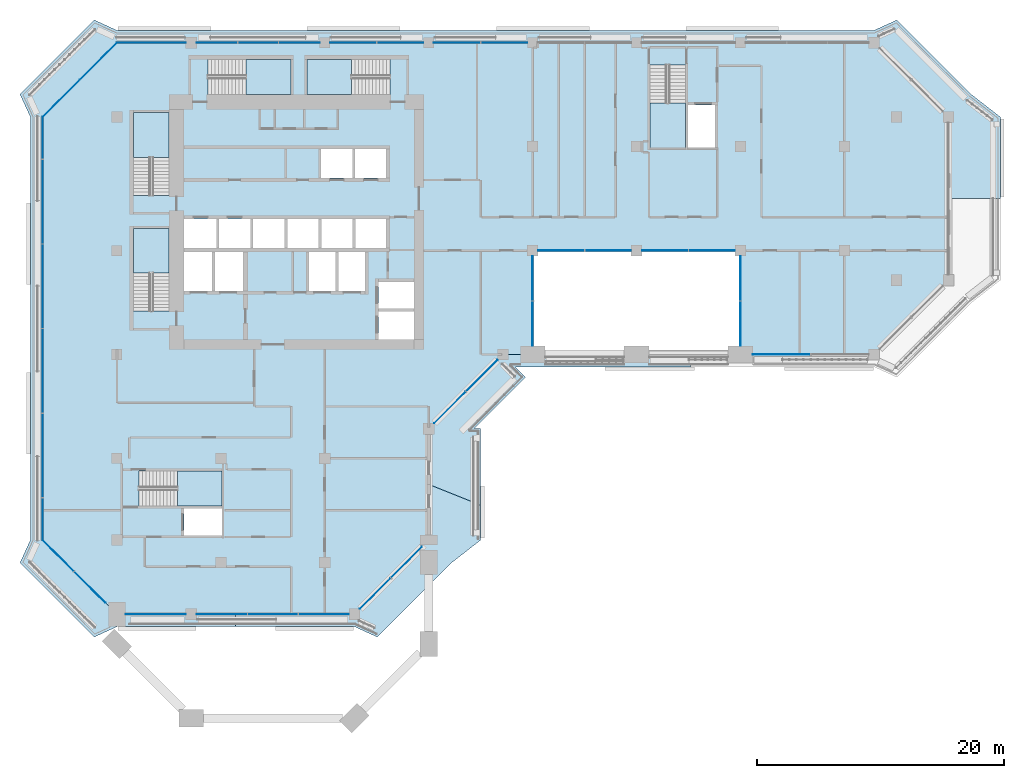
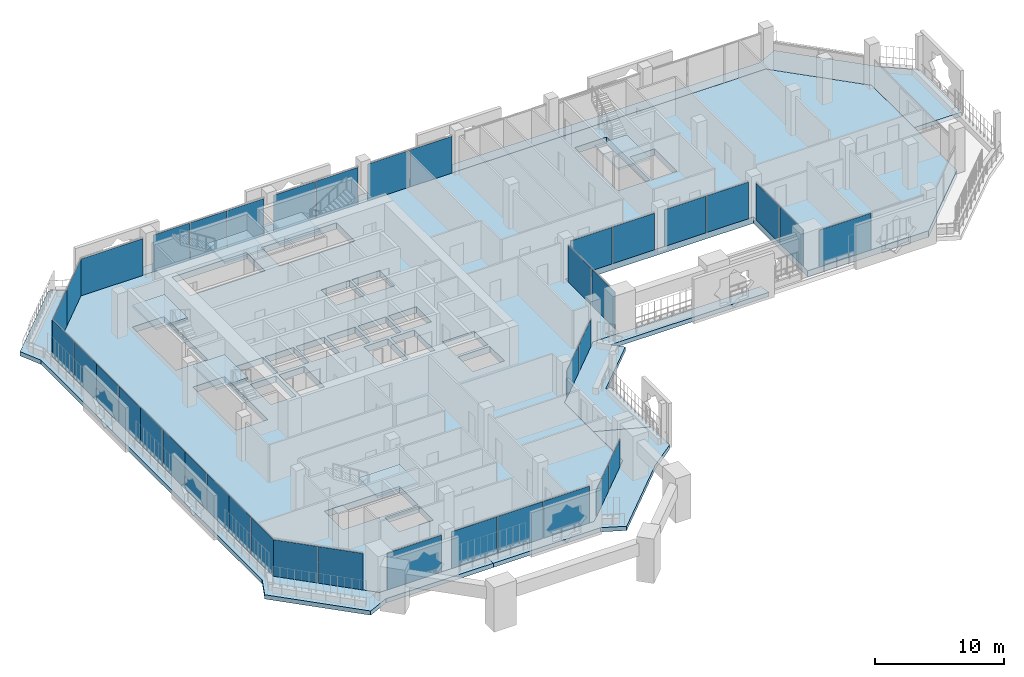
# One storey, part 10 of 23: 39 plates, 10 slabs, 17 elements without a shape of their own.
"""IFC4 building model written with IfcOpenShell, lengths in metres."""

from ifc_helpers import new_model, si_unit, direction, frame, origin, origin_2d, place, context, subcontext, project, spatial, polyline, rectangle, outline, extrude, material, layer, layer_set, type_object, element, aggregate, save


model = new_model("IFC4")

# Units and contexts
model_context = context("Model", 3, precision=1e-05, world=origin(), true_north=direction((0.0, 1.0)))
body_context = subcontext(model_context, "Body", "Model", "MODEL_VIEW")
ifc_project = project(units=[si_unit("LENGTHUNIT", "METRE"), si_unit("AREAUNIT", "SQUARE_METRE"), si_unit("VOLUMEUNIT", "CUBIC_METRE"), si_unit("PLANEANGLEUNIT", "RADIAN"), si_unit("MASSUNIT", "GRAM", prefix="KILO")], contexts=[model_context])

# Site, building, storey
site_placement = place(None, origin())
site = spatial("IfcSite", under=ifc_project, at=site_placement, CompositionType="ELEMENT")
building_placement = place(site_placement, origin())
building = spatial("IfcBuilding", under=site, at=building_placement, Name="Kawkab Arch Medical Tower", CompositionType="ELEMENT")
storey_placement = place(building_placement, frame((0.0, 0.0, 222.199951171875)))
storey = spatial("IfcBuildingStorey", under=building, at=storey_placement, Name="L51", CompositionType="ELEMENT", Elevation=222.199951171875)

# Curtain wall, plate
ifc_material_1 = material(Name="Bronze anodised aluminium curtain wall frame", Category="aluminium")
ifc_layer_1 = layer(ifc_material_1, 0.159912109375)
ifc_layer_set_1 = layer_set([ifc_layer_1], Name="Bronze anodised aluminium curtain wall frame")
curtain_wall_type_1 = type_object("IfcCurtainWallType", Name="CW1 ward curtain wall", PredefinedType="NOTDEFINED", material=ifc_layer_set_1)
placement_1 = place(storey_placement, origin())
curtain_wall_1 = element("IfcCurtainWall", 1, at=placement_1, inside=storey, type_object=curtain_wall_type_1, Name="CW1 Ward curtain wall R05", PredefinedType="NOTDEFINED")
ifc_material_2 = material(Name="Tinted insulating glass, bronze low-e coating", Category="glass")
ifc_layer_2 = layer(ifc_material_2, 0.031982421875)
ifc_layer_set_2 = layer_set([ifc_layer_2], Name="Tinted insulating glass, bronze low-e coating")
plate_type_1 = type_object("IfcPlateType", Name="CW1 glazing unit 32", PredefinedType="CURTAIN_PANEL", material=ifc_layer_set_2)
plate_1_placement = place(storey_placement, frame((53.722412109375, -25.199951171875, 0.0), z_axis=(0.0, 0.0, 1.0), x_axis=(1.0, 0.0, 0.0)))
plate_1 = element("IfcPlate", 2, at=plate_1_placement, type_object=plate_type_1, Name="CW1 glazing unit 1.1", PredefinedType="CURTAIN_PANEL", context=body_context, shape_type="SweptSolid", body=[
    extrude(rectangle(XDim=4.64501953125, YDim=0.031982421875, at=origin_2d()), origin(), (0.0, 0.0, 1.0), 3.47998046875),
])
aggregate(curtain_wall_1, [plate_1])

# Curtain wall, plates
curtain_wall_2 = element("IfcCurtainWall", 3, at=placement_1, inside=storey, type_object=curtain_wall_type_1, Name="CW1 Ward curtain wall R09", PredefinedType="NOTDEFINED")
plate_2_placement = place(storey_placement, frame((31.302490234375, 0.0, 0.0), z_axis=(0.0, 0.0, 1.0), x_axis=(-1.0, 0.0, 0.0)))
plate_2 = element("IfcPlate", 4, at=plate_2_placement, type_object=plate_type_1, Name="CW1 glazing unit 4.1", PredefinedType="CURTAIN_PANEL", context=body_context, shape_type="SweptSolid", body=[
    extrude(rectangle(XDim=3.7451171875, YDim=0.031982421875, at=origin_2d()), origin(), (0.0, 0.0, 1.0), 3.47998046875),
])
plate_3_placement = place(storey_placement, frame((27.49755859375, 0.0, 0.0), z_axis=(0.0, 0.0, 1.0), x_axis=(-1.0, 0.0, 0.0)))
plate_3 = element("IfcPlate", 5, at=plate_3_placement, type_object=plate_type_1, Name="CW1 glazing unit 4.2", PredefinedType="CURTAIN_PANEL", context=body_context, shape_type="SweptSolid", body=[
    extrude(rectangle(XDim=3.7451171875, YDim=0.031982421875, at=origin_2d()), origin(), (0.0, 0.0, 1.0), 3.47998046875),
])
plate_4_placement = place(storey_placement, frame((22.902587890625, 0.0, 0.0), z_axis=(0.0, 0.0, 1.0), x_axis=(-1.0, 0.0, 0.0)))
plate_4 = element("IfcPlate", 6, at=plate_4_placement, type_object=plate_type_1, Name="CW1 glazing unit 5.1", PredefinedType="CURTAIN_PANEL", context=body_context, shape_type="SweptSolid", body=[
    extrude(rectangle(XDim=3.7451171875, YDim=0.031982421875, at=origin_2d()), origin(), (0.0, 0.0, 1.0), 3.47998046875),
])
plate_5_placement = place(storey_placement, frame((19.097412109375, 0.0, 0.0), z_axis=(0.0, 0.0, 1.0), x_axis=(-1.0, 0.0, 0.0)))
plate_5 = element("IfcPlate", 7, at=plate_5_placement, type_object=plate_type_1, Name="CW1 glazing unit 5.2", PredefinedType="CURTAIN_PANEL", context=body_context, shape_type="SweptSolid", body=[
    extrude(rectangle(XDim=3.7451171875, YDim=0.031982421875, at=origin_2d()), origin(), (0.0, 0.0, 1.0), 3.47998046875),
])
plate_6_placement = place(storey_placement, frame((14.73583984375, 0.0, 0.0), z_axis=(0.0, 0.0, 1.0), x_axis=(-1.0, 0.0, 0.0)))
plate_6 = element("IfcPlate", 8, at=plate_6_placement, type_object=plate_type_1, Name="CW1 glazing unit 6.1", PredefinedType="CURTAIN_PANEL", context=body_context, shape_type="SweptSolid", body=[
    extrude(rectangle(XDim=3.2783203125, YDim=0.031982421875, at=origin_2d()), origin(), (0.0, 0.0, 1.0), 3.47998046875),
])
plate_7_placement = place(storey_placement, frame((11.41259765625, 0.0, 0.0), z_axis=(0.0, 0.0, 1.0), x_axis=(-1.0, 0.0, 0.0)))
plate_7 = element("IfcPlate", 9, at=plate_7_placement, type_object=plate_type_1, Name="CW1 glazing unit 6.2", PredefinedType="CURTAIN_PANEL", context=body_context, shape_type="SweptSolid", body=[
    extrude(rectangle(XDim=3.248291015625, YDim=0.031982421875, at=origin_2d()), origin(), (0.0, 0.0, 1.0), 3.47998046875),
])
plate_8_placement = place(storey_placement, frame((8.089111328125, 0.0, 0.0), z_axis=(0.0, 0.0, 1.0), x_axis=(-1.0, 0.0, 0.0)))
plate_8 = element("IfcPlate", 10, at=plate_8_placement, type_object=plate_type_1, Name="CW1 glazing unit 6.3", PredefinedType="CURTAIN_PANEL", context=body_context, shape_type="SweptSolid", body=[
    extrude(rectangle(XDim=3.2783203125, YDim=0.031982421875, at=origin_2d()), origin(), (0.0, 0.0, 1.0), 3.47998046875),
])
plate_9_placement = place(storey_placement, frame((2.77490234375, 0.0, 0.0), z_axis=(0.0, 0.0, 1.0), x_axis=(-1.0, 0.0, 0.0)))
plate_9 = element("IfcPlate", 11, at=plate_9_placement, type_object=plate_type_1, Name="CW1 glazing unit 7.1", PredefinedType="CURTAIN_PANEL", context=body_context, shape_type="SweptSolid", body=[
    extrude(rectangle(XDim=5.550048828125, YDim=0.031982421875, at=origin_2d()), origin(), (0.0, 0.0, 1.0), 3.47998046875),
])
aggregate(curtain_wall_2, [plate_2, plate_3, plate_4, plate_5, plate_6, plate_7, plate_8, plate_9])

curtain_wall_3 = element("IfcCurtainWall", 12, at=placement_1, inside=storey, type_object=curtain_wall_type_1, Name="CW1 Ward curtain wall R11", PredefinedType="NOTDEFINED")
plate_10_placement = place(storey_placement, frame((-6.0, -7.695068359375, 0.0), z_axis=(0.0, 0.0, 1.0), x_axis=(0.0, -1.0, 0.0)))
plate_10 = element("IfcPlate", 13, at=plate_10_placement, type_object=plate_type_1, Name="CW1 glazing unit 1.1", PredefinedType="CURTAIN_PANEL", context=body_context, shape_type="SweptSolid", body=[
    extrude(rectangle(XDim=3.389892578125, YDim=0.031982421875, at=origin_2d()), origin(), (0.0, 0.0, 1.0), 3.47998046875),
])
plate_11_placement = place(storey_placement, frame((-6.0, -11.14501953125, 0.0), z_axis=(0.0, 0.0, 1.0), x_axis=(0.0, -1.0, 0.0)))
plate_11 = element("IfcPlate", 14, at=plate_11_placement, type_object=plate_type_1, Name="CW1 glazing unit 1.2", PredefinedType="CURTAIN_PANEL", context=body_context, shape_type="SweptSolid", body=[
    extrude(rectangle(XDim=3.389892578125, YDim=0.031982421875, at=origin_2d()), origin(), (0.0, 0.0, 1.0), 3.47998046875),
])
plate_12_placement = place(storey_placement, frame((-6.0, -14.534912109375, 0.0), z_axis=(0.0, 0.0, 1.0), x_axis=(0.0, -1.0, 0.0)))
plate_12 = element("IfcPlate", 15, at=plate_12_placement, type_object=plate_type_1, Name="CW1 glazing unit 2.1", PredefinedType="CURTAIN_PANEL", context=body_context, shape_type="SweptSolid", body=[
    extrude(rectangle(XDim=3.389892578125, YDim=0.031982421875, at=origin_2d()), origin(), (0.0, 0.0, 1.0), 3.47998046875),
])
plate_13_placement = place(storey_placement, frame((-6.0, -17.985107421875, 0.0), z_axis=(0.0, 0.0, 1.0), x_axis=(0.0, -1.0, 0.0)))
plate_13 = element("IfcPlate", 16, at=plate_13_placement, type_object=plate_type_1, Name="CW1 glazing unit 2.2", PredefinedType="CURTAIN_PANEL", context=body_context, shape_type="SweptSolid", body=[
    extrude(rectangle(XDim=3.389892578125, YDim=0.031982421875, at=origin_2d()), origin(), (0.0, 0.0, 1.0), 3.47998046875),
])
plate_14_placement = place(storey_placement, frame((-6.0, -21.375, 0.0), z_axis=(0.0, 0.0, 1.0), x_axis=(0.0, -1.0, 0.0)))
plate_14 = element("IfcPlate", 17, at=plate_14_placement, type_object=plate_type_1, Name="CW1 glazing unit 3.1", PredefinedType="CURTAIN_PANEL", context=body_context, shape_type="SweptSolid", body=[
    extrude(rectangle(XDim=3.389892578125, YDim=0.031982421875, at=origin_2d()), origin(), (0.0, 0.0, 1.0), 3.47998046875),
])
plate_15_placement = place(storey_placement, frame((-6.0, -24.824951171875, 0.0), z_axis=(0.0, 0.0, 1.0), x_axis=(0.0, -1.0, 0.0)))
plate_15 = element("IfcPlate", 18, at=plate_15_placement, type_object=plate_type_1, Name="CW1 glazing unit 3.2", PredefinedType="CURTAIN_PANEL", context=body_context, shape_type="SweptSolid", body=[
    extrude(rectangle(XDim=3.389892578125, YDim=0.031982421875, at=origin_2d()), origin(), (0.0, 0.0, 1.0), 3.47998046875),
])
plate_16_placement = place(storey_placement, frame((-6.0, -28.215087890625, 0.0), z_axis=(0.0, 0.0, 1.0), x_axis=(0.0, -1.0, 0.0)))
plate_16 = element("IfcPlate", 19, at=plate_16_placement, type_object=plate_type_1, Name="CW1 glazing unit 4.1", PredefinedType="CURTAIN_PANEL", context=body_context, shape_type="SweptSolid", body=[
    extrude(rectangle(XDim=3.389892578125, YDim=0.031982421875, at=origin_2d()), origin(), (0.0, 0.0, 1.0), 3.47998046875),
])
plate_17_placement = place(storey_placement, frame((-6.0, -31.6650390625, 0.0), z_axis=(0.0, 0.0, 1.0), x_axis=(0.0, -1.0, 0.0)))
plate_17 = element("IfcPlate", 20, at=plate_17_placement, type_object=plate_type_1, Name="CW1 glazing unit 4.2", PredefinedType="CURTAIN_PANEL", context=body_context, shape_type="SweptSolid", body=[
    extrude(rectangle(XDim=3.389892578125, YDim=0.031982421875, at=origin_2d()), origin(), (0.0, 0.0, 1.0), 3.47998046875),
])
plate_18_placement = place(storey_placement, frame((-6.0, -35.054931640625, 0.0), z_axis=(0.0, 0.0, 1.0), x_axis=(0.0, -1.0, 0.0)))
plate_18 = element("IfcPlate", 21, at=plate_18_placement, type_object=plate_type_1, Name="CW1 glazing unit 5.1", PredefinedType="CURTAIN_PANEL", context=body_context, shape_type="SweptSolid", body=[
    extrude(rectangle(XDim=3.389892578125, YDim=0.031982421875, at=origin_2d()), origin(), (0.0, 0.0, 1.0), 3.47998046875),
])
plate_19_placement = place(storey_placement, frame((-6.0, -38.5048828125, 0.0), z_axis=(0.0, 0.0, 1.0), x_axis=(0.0, -1.0, 0.0)))
plate_19 = element("IfcPlate", 22, at=plate_19_placement, type_object=plate_type_1, Name="CW1 glazing unit 5.2", PredefinedType="CURTAIN_PANEL", context=body_context, shape_type="SweptSolid", body=[
    extrude(rectangle(XDim=3.389892578125, YDim=0.031982421875, at=origin_2d()), origin(), (0.0, 0.0, 1.0), 3.47998046875),
])
aggregate(curtain_wall_3, [plate_10, plate_11, plate_12, plate_13, plate_14, plate_15, plate_16, plate_17, plate_18, plate_19])

curtain_wall_4 = element("IfcCurtainWall", 23, at=placement_1, inside=storey, type_object=curtain_wall_type_1, Name="CW1 Ward curtain wall R13", PredefinedType="NOTDEFINED")
plate_20_placement = place(storey_placement, frame((3.125, -46.199951171875, 0.0), z_axis=(0.0, 0.0, 1.0), x_axis=(1.0, 0.0, 0.0)))
plate_20 = element("IfcPlate", 24, at=plate_20_placement, type_object=plate_type_1, Name="CW1 glazing unit 1.1", PredefinedType="CURTAIN_PANEL", context=body_context, shape_type="SweptSolid", body=[
    extrude(rectangle(XDim=4.85009765625, YDim=0.031982421875, at=origin_2d()), origin(), (0.0, 0.0, 1.0), 3.47998046875),
])
plate_21_placement = place(storey_placement, frame((8.485107421875, -46.199951171875, 0.0), z_axis=(0.0, 0.0, 1.0), x_axis=(1.0, 0.0, 0.0)))
plate_21 = element("IfcPlate", 25, at=plate_21_placement, type_object=plate_type_1, Name="CW1 glazing unit 2.1", PredefinedType="CURTAIN_PANEL", context=body_context, shape_type="SweptSolid", body=[
    extrude(rectangle(XDim=4.070068359375, YDim=0.031982421875, at=origin_2d()), origin(), (0.0, 0.0, 1.0), 3.47998046875),
])
plate_22_placement = place(storey_placement, frame((12.60009765625, -46.199951171875, 0.0), z_axis=(0.0, 0.0, 1.0), x_axis=(1.0, 0.0, 0.0)))
plate_22 = element("IfcPlate", 26, at=plate_22_placement, type_object=plate_type_1, Name="CW1 glazing unit 2.2", PredefinedType="CURTAIN_PANEL", context=body_context, shape_type="SweptSolid", body=[
    extrude(rectangle(XDim=4.0400390625, YDim=0.031982421875, at=origin_2d()), origin(), (0.0, 0.0, 1.0), 3.47998046875),
])
plate_23_placement = place(storey_placement, frame((16.715087890625, -46.199951171875, 0.0), z_axis=(0.0, 0.0, 1.0), x_axis=(1.0, 0.0, 0.0)))
plate_23 = element("IfcPlate", 27, at=plate_23_placement, type_object=plate_type_1, Name="CW1 glazing unit 2.3", PredefinedType="CURTAIN_PANEL", context=body_context, shape_type="SweptSolid", body=[
    extrude(rectangle(XDim=4.070068359375, YDim=0.031982421875, at=origin_2d()), origin(), (0.0, 0.0, 1.0), 3.47998046875),
])
aggregate(curtain_wall_4, [plate_20, plate_21, plate_22, plate_23])

ifc_material_3 = material(Name="Bronze anodised aluminium curtain wall frame", Category="aluminium")
ifc_layer_3 = layer(ifc_material_3, 0.159912109375)
ifc_layer_set_3 = layer_set([ifc_layer_3], Name="Bronze anodised aluminium curtain wall frame")
curtain_wall_type_2 = type_object("IfcCurtainWallType", Name="CW2 chamfer curtain wall", PredefinedType="NOTDEFINED", material=ifc_layer_set_3)
curtain_wall_5 = element("IfcCurtainWall", 28, at=placement_1, inside=storey, type_object=curtain_wall_type_2, Name="CW2 Chamfer curtain wall R10", PredefinedType="NOTDEFINED")
ifc_material_4 = material(Name="Tinted insulating glass, bronze low-e coating", Category="glass")
ifc_layer_4 = layer(ifc_material_4, 0.031982421875)
ifc_layer_set_4 = layer_set([ifc_layer_4], Name="Tinted insulating glass, bronze low-e coating")
plate_type_2 = type_object("IfcPlateType", Name="CW2 glazing unit 32", PredefinedType="CURTAIN_PANEL", material=ifc_layer_set_4)
plate_24_placement = place(storey_placement, frame((-1.5, -1.5, 0.0), z_axis=(0.0, 0.0, 1.0), x_axis=(-0.707106781187, -0.707106781187, 0.0)))
plate_24 = element("IfcPlate", 29, at=plate_24_placement, type_object=plate_type_2, Name="CW2 glazing unit 1.1", PredefinedType="CURTAIN_PANEL", context=body_context, shape_type="SweptSolid", body=[
    extrude(rectangle(XDim=4.24267578125, YDim=0.031982421875, at=origin_2d()), origin(), (0.0, 0.0, 1.0), 3.4599609375),
])
plate_25_placement = place(storey_placement, frame((-4.5, -4.5, 0.0), z_axis=(0.0, 0.0, 1.0), x_axis=(-0.707106781187, -0.707106781187, 0.0)))
plate_25 = element("IfcPlate", 30, at=plate_25_placement, type_object=plate_type_2, Name="CW2 glazing unit 2.1", PredefinedType="CURTAIN_PANEL", context=body_context, shape_type="SweptSolid", body=[
    extrude(rectangle(XDim=4.24267578125, YDim=0.031982421875, at=origin_2d()), origin(), (0.0, 0.0, 1.0), 3.4599609375),
])
aggregate(curtain_wall_5, [plate_24, plate_25])

curtain_wall_6 = element("IfcCurtainWall", 31, at=placement_1, inside=storey, type_object=curtain_wall_type_2, Name="CW2 Chamfer curtain wall R12", PredefinedType="NOTDEFINED")
plate_26_placement = place(storey_placement, frame((-4.7431640625, -41.456787109375, 0.0), z_axis=(0.0, 0.0, 1.0), x_axis=(0.707106781187, -0.707106781187, 0.0)))
plate_26 = element("IfcPlate", 32, at=plate_26_placement, type_object=plate_type_2, Name="CW2 glazing unit 1.1", PredefinedType="CURTAIN_PANEL", context=body_context, shape_type="SweptSolid", body=[
    extrude(rectangle(XDim=3.5546875, YDim=0.031982421875, at=origin_2d()), origin(), (0.0, 0.0, 1.0), 3.4599609375),
])
plate_27_placement = place(storey_placement, frame((-2.187255859375, -44.012939453125, 0.0), z_axis=(0.0, 0.0, 1.0), x_axis=(0.707106781187, -0.707106781187, 0.0)))
plate_27 = element("IfcPlate", 33, at=plate_27_placement, type_object=plate_type_2, Name="CW2 glazing unit 1.2", PredefinedType="CURTAIN_PANEL", context=body_context, shape_type="SweptSolid", body=[
    extrude(rectangle(XDim=3.5546875, YDim=0.031982421875, at=origin_2d()), origin(), (0.0, 0.0, 1.0), 3.4599609375),
])
aggregate(curtain_wall_6, [plate_26, plate_27])

curtain_wall_7 = element("IfcCurtainWall", 34, at=placement_1, inside=storey, type_object=curtain_wall_type_2, Name="CW2 Chamfer curtain wall R14", PredefinedType="NOTDEFINED")
plate_28_placement = place(storey_placement, frame((20.884765625, -44.51513671875, 0.0), z_axis=(0.0, 0.0, 1.0), x_axis=(0.707106781187, 0.707106781187, 0.0)))
plate_28 = element("IfcPlate", 35, at=plate_28_placement, type_object=plate_type_2, Name="CW2 glazing unit 1.1", PredefinedType="CURTAIN_PANEL", context=body_context, shape_type="SweptSolid", body=[
    extrude(rectangle(XDim=3.49267578125, YDim=0.031982421875, at=origin_2d()), origin(), (0.0, 0.0, 1.0), 2.56005859375),
])
plate_29_placement = place(storey_placement, frame((23.39697265625, -42.0029296875, 0.0), z_axis=(0.0, 0.0, 1.0), x_axis=(0.707106781187, 0.707106781187, 0.0)))
plate_29 = element("IfcPlate", 36, at=plate_29_placement, type_object=plate_type_2, Name="CW2 glazing unit 1.2", PredefinedType="CURTAIN_PANEL", context=body_context, shape_type="SweptSolid", body=[
    extrude(rectangle(XDim=3.49267578125, YDim=0.031982421875, at=origin_2d()), origin(), (0.0, 0.0, 1.0), 2.56005859375),
])
aggregate(curtain_wall_7, [plate_28, plate_29])

curtain_wall_8 = element("IfcCurtainWall", 37, at=placement_1, inside=storey, type_object=curtain_wall_type_2, Name="CW2 Chamfer curtain wall R16", PredefinedType="NOTDEFINED")
plate_30_placement = place(storey_placement, frame((26.914306640625, -29.485595703125, 0.0), z_axis=(0.0, 0.0, 1.0), x_axis=(0.707106781187, 0.707106781187, 0.0)))
plate_30 = element("IfcPlate", 38, at=plate_30_placement, type_object=plate_type_2, Name="CW2 glazing unit 1.1", PredefinedType="CURTAIN_PANEL", context=body_context, shape_type="SweptSolid", body=[
    extrude(rectangle(XDim=3.576171875, YDim=0.031982421875, at=origin_2d()), origin(), (0.0, 0.0, 1.0), 2.56005859375),
])
plate_31_placement = place(storey_placement, frame((29.485595703125, -26.914306640625, 0.0), z_axis=(0.0, 0.0, 1.0), x_axis=(0.707106781187, 0.707106781187, 0.0)))
plate_31 = element("IfcPlate", 39, at=plate_31_placement, type_object=plate_type_2, Name="CW2 glazing unit 1.2", PredefinedType="CURTAIN_PANEL", context=body_context, shape_type="SweptSolid", body=[
    extrude(rectangle(XDim=3.576171875, YDim=0.031982421875, at=origin_2d()), origin(), (0.0, 0.0, 1.0), 2.56005859375),
])
aggregate(curtain_wall_8, [plate_30, plate_31])

ifc_material_5 = material(Name="Bronze anodised aluminium curtain wall frame", Category="aluminium")
ifc_layer_5 = layer(ifc_material_5, 0.159912109375)
ifc_layer_set_5 = layer_set([ifc_layer_5], Name="Bronze anodised aluminium curtain wall frame")
curtain_wall_type_3 = type_object("IfcCurtainWallType", Name="CW3 sky garden curtain wall", PredefinedType="NOTDEFINED", material=ifc_layer_set_5)
curtain_wall_9 = element("IfcCurtainWall", 40, at=placement_1, inside=storey, type_object=curtain_wall_type_3, Name="CW3 Sky garden curtain wall R02", PredefinedType="NOTDEFINED")
ifc_material_6 = material(Name="Tinted laminated insulating glass, grey-green", Category="glass")
ifc_layer_6 = layer(ifc_material_6, 0.035888671875)
ifc_layer_set_6 = layer_set([ifc_layer_6], Name="Tinted laminated insulating glass, grey-green")
plate_type_3 = type_object("IfcPlateType", Name="CW3 glazing unit 36", PredefinedType="CURTAIN_PANEL", material=ifc_layer_set_6)
plate_32_placement = place(storey_placement, frame((33.60009765625, -22.705078125, 0.0), z_axis=(0.0, 0.0, 1.0), x_axis=(0.0, 1.0, 0.0)))
plate_32 = element("IfcPlate", 41, at=plate_32_placement, type_object=plate_type_3, Name="CW3 glazing unit 1.1", PredefinedType="CURTAIN_PANEL", context=body_context, shape_type="SweptSolid", body=[
    extrude(rectangle(XDim=3.590087890625, YDim=0.035888671875, at=origin_2d()), origin(), (0.0, 0.0, 1.0), 3.4599609375),
])
plate_33_placement = place(storey_placement, frame((33.60009765625, -19.044921875, 0.0), z_axis=(0.0, 0.0, 1.0), x_axis=(0.0, 1.0, 0.0)))
plate_33 = element("IfcPlate", 42, at=plate_33_placement, type_object=plate_type_3, Name="CW3 glazing unit 1.2", PredefinedType="CURTAIN_PANEL", context=body_context, shape_type="SweptSolid", body=[
    extrude(rectangle(XDim=3.590087890625, YDim=0.035888671875, at=origin_2d()), origin(), (0.0, 0.0, 1.0), 3.4599609375),
])
aggregate(curtain_wall_9, [plate_32, plate_33])

curtain_wall_10 = element("IfcCurtainWall", 43, at=placement_1, inside=storey, type_object=curtain_wall_type_3, Name="CW3 Sky garden curtain wall R03", PredefinedType="NOTDEFINED")
plate_34_placement = place(storey_placement, frame((35.907470703125, -16.800048828125, 0.0), z_axis=(0.0, 0.0, 1.0), x_axis=(1.0, 0.0, 0.0)))
plate_34 = element("IfcPlate", 44, at=plate_34_placement, type_object=plate_type_3, Name="CW3 glazing unit 1.1", PredefinedType="CURTAIN_PANEL", context=body_context, shape_type="SweptSolid", body=[
    extrude(rectangle(XDim=3.715087890625, YDim=0.035888671875, at=origin_2d()), origin(), (0.0, 0.0, 1.0), 3.4599609375),
])
plate_35_placement = place(storey_placement, frame((39.6923828125, -16.800048828125, 0.0), z_axis=(0.0, 0.0, 1.0), x_axis=(1.0, 0.0, 0.0)))
plate_35 = element("IfcPlate", 45, at=plate_35_placement, type_object=plate_type_3, Name="CW3 glazing unit 1.2", PredefinedType="CURTAIN_PANEL", context=body_context, shape_type="SweptSolid", body=[
    extrude(rectangle(XDim=3.715087890625, YDim=0.035888671875, at=origin_2d()), origin(), (0.0, 0.0, 1.0), 3.4599609375),
])
plate_36_placement = place(storey_placement, frame((44.3076171875, -16.800048828125, 0.0), z_axis=(0.0, 0.0, 1.0), x_axis=(1.0, 0.0, 0.0)))
plate_36 = element("IfcPlate", 46, at=plate_36_placement, type_object=plate_type_3, Name="CW3 glazing unit 2.1", PredefinedType="CURTAIN_PANEL", context=body_context, shape_type="SweptSolid", body=[
    extrude(rectangle(XDim=3.715087890625, YDim=0.035888671875, at=origin_2d()), origin(), (0.0, 0.0, 1.0), 3.4599609375),
])
plate_37_placement = place(storey_placement, frame((48.092529296875, -16.800048828125, 0.0), z_axis=(0.0, 0.0, 1.0), x_axis=(1.0, 0.0, 0.0)))
plate_37 = element("IfcPlate", 47, at=plate_37_placement, type_object=plate_type_3, Name="CW3 glazing unit 2.2", PredefinedType="CURTAIN_PANEL", context=body_context, shape_type="SweptSolid", body=[
    extrude(rectangle(XDim=3.715087890625, YDim=0.035888671875, at=origin_2d()), origin(), (0.0, 0.0, 1.0), 3.4599609375),
])
aggregate(curtain_wall_10, [plate_34, plate_35, plate_36, plate_37])

curtain_wall_11 = element("IfcCurtainWall", 48, at=placement_1, inside=storey, type_object=curtain_wall_type_3, Name="CW3 Sky garden curtain wall R04", PredefinedType="NOTDEFINED")
plate_38_placement = place(storey_placement, frame((50.39990234375, -19.044921875, 0.0), z_axis=(0.0, 0.0, 1.0), x_axis=(0.0, -1.0, 0.0)))
plate_38 = element("IfcPlate", 49, at=plate_38_placement, type_object=plate_type_3, Name="CW3 glazing unit 1.1", PredefinedType="CURTAIN_PANEL", context=body_context, shape_type="SweptSolid", body=[
    extrude(rectangle(XDim=3.590087890625, YDim=0.035888671875, at=origin_2d()), origin(), (0.0, 0.0, 1.0), 3.4599609375),
])
plate_39_placement = place(storey_placement, frame((50.39990234375, -22.705078125, 0.0), z_axis=(0.0, 0.0, 1.0), x_axis=(0.0, -1.0, 0.0)))
plate_39 = element("IfcPlate", 50, at=plate_39_placement, type_object=plate_type_3, Name="CW3 glazing unit 1.2", PredefinedType="CURTAIN_PANEL", context=body_context, shape_type="SweptSolid", body=[
    extrude(rectangle(XDim=3.590087890625, YDim=0.035888671875, at=origin_2d()), origin(), (0.0, 0.0, 1.0), 3.4599609375),
])
aggregate(curtain_wall_11, [plate_38, plate_39])

# Stair, slab
ifc_material_7 = material(Name="Concrete C40/50", Category="concrete")
stair_type = type_object("IfcStairType", Name="Exit stair 1350", PredefinedType="HALF_TURN_STAIR", material=ifc_material_7)
stair_1 = element("IfcStair", 51, at=placement_1, inside=storey, type_object=stair_type, Name="L51 Exit stair ST1", PredefinedType="HALF_TURN_STAIR")
ifc_material_8 = material(Name="Concrete C40/50", Category="concrete")
ifc_layer_7 = layer(ifc_material_8, 0.199951171875)
ifc_layer_set_7 = layer_set([ifc_layer_7], Name="Concrete C40/50")
slab_type_1 = type_object("IfcSlabType", Name="Exit stair landing 200", PredefinedType="LANDING", material=ifc_layer_set_7)
placement_2 = place(storey_placement, frame((0.0, 0.0, 1.900146484375)))
slab_1 = element("IfcSlab", 52, at=placement_2, type_object=slab_type_1, Name="ST1 landing 1", PredefinedType="LANDING", context=body_context, shape_type="SweptSolid", body=[
    extrude(outline(polyline([(4.199951171875, -9.27001953125), (4.199951171875, -5.64990234375), (1.35009765625, -5.64990234375), (1.35009765625, -9.27001953125), (4.199951171875, -9.27001953125)])), origin(), (0.0, 0.0, 1.0), 0.199951171875),
])
aggregate(stair_1, [slab_1])

stair_2 = element("IfcStair", 53, at=placement_1, inside=storey, type_object=stair_type, Name="L51 Exit stair ST2", PredefinedType="HALF_TURN_STAIR")
slab_2 = element("IfcSlab", 54, at=placement_2, type_object=slab_type_1, Name="ST2 landing 1", PredefinedType="LANDING", context=body_context, shape_type="SweptSolid", body=[
    extrude(outline(polyline([(4.199951171875, -18.6201171875), (4.199951171875, -15.0), (1.35009765625, -15.0), (1.35009765625, -18.6201171875), (4.199951171875, -18.6201171875)])), origin(), (0.0, 0.0, 1.0), 0.199951171875),
])
aggregate(stair_2, [slab_2])

stair_3 = element("IfcStair", 55, at=placement_1, inside=storey, type_object=stair_type, Name="L51 Exit stair ST3", PredefinedType="HALF_TURN_STAIR")
slab_3 = element("IfcSlab", 56, at=placement_2, type_object=slab_type_1, Name="ST3 landing 1", PredefinedType="LANDING", context=body_context, shape_type="SweptSolid", body=[
    extrude(outline(polyline([(10.429931640625, -4.199951171875), (14.050048828125, -4.199951171875), (14.050048828125, -1.35009765625), (10.429931640625, -1.35009765625), (10.429931640625, -4.199951171875)])), origin(), (0.0, 0.0, 1.0), 0.199951171875),
])
aggregate(stair_3, [slab_3])

stair_4 = element("IfcStair", 57, at=placement_1, inside=storey, type_object=stair_type, Name="L51 Exit stair ST4", PredefinedType="HALF_TURN_STAIR")
slab_4 = element("IfcSlab", 58, at=placement_2, type_object=slab_type_1, Name="ST4 landing 1", PredefinedType="LANDING", context=body_context, shape_type="SweptSolid", body=[
    extrude(outline(polyline([(18.969970703125, -1.35009765625), (15.35009765625, -1.35009765625), (15.35009765625, -4.199951171875), (18.969970703125, -4.199951171875), (18.969970703125, -1.35009765625)])), origin(), (0.0, 0.0, 1.0), 0.199951171875),
])
aggregate(stair_4, [slab_4])

stair_5 = element("IfcStair", 59, at=placement_1, inside=storey, type_object=stair_type, Name="L51 Exit stair ST5", PredefinedType="HALF_TURN_STAIR")
slab_5 = element("IfcSlab", 60, at=placement_2, type_object=slab_type_1, Name="ST5 landing 1", PredefinedType="LANDING", context=body_context, shape_type="SweptSolid", body=[
    extrude(outline(polyline([(43.10009765625, -4.8798828125), (43.10009765625, -8.5), (45.949951171875, -8.5), (45.949951171875, -4.8798828125), (43.10009765625, -4.8798828125)])), origin(), (0.0, 0.0, 1.0), 0.199951171875),
])
aggregate(stair_5, [slab_5])

stair_6 = element("IfcStair", 61, at=placement_1, inside=storey, type_object=stair_type, Name="L51 Exit stair ST6", PredefinedType="HALF_TURN_STAIR")
slab_6 = element("IfcSlab", 62, at=placement_2, type_object=slab_type_1, Name="ST6 landing 1", PredefinedType="LANDING", context=body_context, shape_type="SweptSolid", body=[
    extrude(outline(polyline([(4.8798828125, -37.449951171875), (8.5, -37.449951171875), (8.5, -34.60009765625), (4.8798828125, -34.60009765625), (4.8798828125, -37.449951171875)])), origin(), (0.0, 0.0, 1.0), 0.199951171875),
])
aggregate(stair_6, [slab_6])

# Slabs
ifc_material_9 = material(Name="Concrete C45/55", Category="concrete")
ifc_layer_8 = layer(ifc_material_9, 0.60009765625)
ifc_layer_set_8 = layer_set([ifc_layer_8], Name="Concrete C45/55")
slab_type_2 = type_object("IfcSlabType", Name="Flat plate 600 C45/55", PredefinedType="FLOOR", material=ifc_layer_set_8)
slab_7_placement = place(storey_placement, frame((0.0, 0.0, -0.599853515625)))
element("IfcSlab", 63, at=slab_7_placement, inside=storey, type_object=slab_type_2, Name="Floor slab L51", PredefinedType="FLOOR", context=body_context, shape_type="SweptSolid", body=[
    extrude(outline(polyline([(25.199951171875, -31.199951171875), (25.199951171875, -40.199951171875), (19.199951171875, -46.199951171875), (0.0, -46.199951171875), (-6.0, -40.199951171875), (-6.0, -6.0), (0.0, 0.0), (61.199951171875, 0.0), (67.199951171875, -6.0), (67.199951171875, -19.199951171875), (61.199951171875, -25.199951171875), (50.39990234375, -25.199951171875), (50.39990234375, -16.800048828125), (33.60009765625, -16.800048828125), (33.60009765625, -25.199951171875), (31.199951171875, -25.199951171875), (25.199951171875, -31.199951171875)]), holes=[polyline([(5.425048828125, -37.64990234375), (5.425048828125, -39.85009765625), (8.5, -39.85009765625), (8.5, -37.64990234375), (5.425048828125, -37.64990234375)]), polyline([(8.5, -37.449951171875), (8.5, -34.60009765625), (1.800048828125, -34.60009765625), (1.800048828125, -37.449951171875), (8.5, -37.449951171875)]), polyline([(5.39990234375, -20.050048828125), (7.675048828125, -20.050048828125), (7.675048828125, -16.89990234375), (5.39990234375, -16.89990234375), (5.39990234375, -20.050048828125)]), polyline([(10.199951171875, -20.050048828125), (10.199951171875, -16.89990234375), (7.925048828125, -16.89990234375), (7.925048828125, -20.050048828125), (10.199951171875, -20.050048828125)]), polyline([(4.199951171875, -21.699951171875), (4.199951171875, -15.0), (1.35009765625, -15.0), (1.35009765625, -21.699951171875), (4.199951171875, -21.699951171875)]), polyline([(5.39990234375, -16.60009765625), (8.050048828125, -16.60009765625), (8.050048828125, -14.25), (5.39990234375, -14.25), (5.39990234375, -16.60009765625)]), polyline([(8.25, -16.60009765625), (10.800048828125, -16.60009765625), (10.800048828125, -14.25), (8.25, -14.25), (8.25, -16.60009765625)]), polyline([(11.0, -14.25), (11.0, -16.60009765625), (13.52490234375, -16.60009765625), (13.52490234375, -14.25), (11.0, -14.25)]), polyline([(13.77490234375, -16.60009765625), (16.27490234375, -16.60009765625), (16.27490234375, -14.25), (13.77490234375, -14.25), (13.77490234375, -16.60009765625)]), polyline([(4.199951171875, -12.35009765625), (4.199951171875, -5.64990234375), (1.35009765625, -5.64990234375), (1.35009765625, -12.35009765625), (4.199951171875, -12.35009765625)]), polyline([(7.35009765625, -4.199951171875), (14.050048828125, -4.199951171875), (14.050048828125, -1.35009765625), (7.35009765625, -1.35009765625), (7.35009765625, -4.199951171875)]), polyline([(24.0, -21.72509765625), (21.14990234375, -21.72509765625), (21.14990234375, -24.0), (24.0, -24.0), (24.0, -21.72509765625)]), polyline([(24.0, -19.35009765625), (21.14990234375, -19.35009765625), (21.14990234375, -21.47509765625), (24.0, -21.47509765625), (24.0, -19.35009765625)]), polyline([(17.675048828125, -16.89990234375), (15.52490234375, -16.89990234375), (15.52490234375, -20.050048828125), (17.675048828125, -20.050048828125), (17.675048828125, -16.89990234375)]), polyline([(20.050048828125, -20.050048828125), (20.050048828125, -16.89990234375), (17.925048828125, -16.89990234375), (17.925048828125, -20.050048828125), (20.050048828125, -20.050048828125)]), polyline([(19.02490234375, -16.60009765625), (19.02490234375, -14.25), (16.52490234375, -14.25), (16.52490234375, -16.60009765625), (19.02490234375, -16.60009765625)]), polyline([(21.75, -16.60009765625), (21.75, -14.25), (19.27490234375, -14.25), (19.27490234375, -16.60009765625), (21.75, -16.60009765625)]), polyline([(19.050048828125, -8.60009765625), (16.5, -8.60009765625), (16.5, -10.949951171875), (19.050048828125, -10.949951171875), (19.050048828125, -8.60009765625)]), polyline([(21.75, -10.949951171875), (21.75, -8.60009765625), (19.25, -8.60009765625), (19.25, -10.949951171875), (21.75, -10.949951171875)]), polyline([(46.14990234375, -8.5), (48.35009765625, -8.5), (48.35009765625, -5.02490234375), (46.14990234375, -5.02490234375), (46.14990234375, -8.5)]), polyline([(43.10009765625, -1.800048828125), (43.10009765625, -8.5), (45.949951171875, -8.5), (45.949951171875, -1.800048828125), (43.10009765625, -1.800048828125)]), polyline([(22.050048828125, -1.35009765625), (15.35009765625, -1.35009765625), (15.35009765625, -4.199951171875), (22.050048828125, -4.199951171875), (22.050048828125, -1.35009765625)])]), origin(), (0.0, 0.0, 1.0), 0.599853515625),
])
ifc_material_10 = material(Name="Concrete C40/50", Category="concrete")
ifc_layer_9 = layer(ifc_material_10, 0.39990234375)
ifc_layer_set_9 = layer_set([ifc_layer_9], Name="Concrete C40/50")
slab_type_3 = type_object("IfcSlabType", Name="Loggia slab 400", PredefinedType="FLOOR", material=ifc_layer_set_9)
placement_3 = place(storey_placement, frame((0.0, 0.0, -0.39990234375)))
element("IfcSlab", 64, at=placement_3, inside=storey, type_object=slab_type_3, Name="Loggia slab L51.1", PredefinedType="FLOOR", context=body_context, shape_type="SweptSolid", body=[
    extrude(outline(polyline([(19.199951171875, -47.199951171875), (9.60009765625, -47.199951171875), (9.60009765625, -46.200927734375), (19.199951171875, -46.200927734375), (19.199951171875, -46.199951171875), (25.199951171875, -40.199951171875), (25.199951171875, -35.700927734375), (29.39990234375, -37.3798828125), (29.39990234375, -40.199951171875), (27.0380859375, -42.0380859375), (21.0380859375, -48.0380859375), (19.199951171875, -47.199951171875)])), origin(), (0.0, 0.0, 1.0), 0.39990234375),
])
element("IfcSlab", 65, at=placement_3, inside=storey, type_object=slab_type_3, Name="Loggia slab L51.3", PredefinedType="FLOOR", context=body_context, shape_type="SweptSolid", body=[
    extrude(outline(polyline([(33.037109375, -27.0380859375), (28.8759765625, -31.199951171875), (29.39990234375, -31.199951171875), (29.39990234375, -37.37890625), (25.199951171875, -35.699951171875), (25.199951171875, -31.199951171875), (31.199951171875, -25.199951171875), (46.199951171875, -25.199951171875), (46.365966796875, -26.199951171875), (32.198974609375, -26.199951171875), (33.037109375, -27.0380859375)])), origin(), (0.0, 0.0, 1.0), 0.39990234375),
])
element("IfcSlab", 66, at=placement_3, inside=storey, type_object=slab_type_3, Name="Loggia slab L51.5", PredefinedType="FLOOR", context=body_context, shape_type="SweptSolid", body=[
    extrude(outline(polyline([(-7.837890625, -42.037109375), (-7.0, -40.199951171875), (-7.0, -6.0), (-7.837890625, -4.1630859375), (-1.8369140625, 1.837890625), (0.0, 1.0), (61.199951171875, 1.0), (63.037109375, 1.837890625), (69.0380859375, -4.162109375), (71.39892578125, -5.9990234375), (71.39892578125, -6.0009765625), (71.39990234375, -6.0009765625), (71.39990234375, -12.59912109375), (71.39892578125, -12.59912109375), (71.39892578125, -12.60009765625), (67.201904296875, -12.60009765625), (67.201904296875, -12.59912109375), (67.200927734375, -12.59912109375), (67.200927734375, -6.0), (61.199951171875, 0.0009765625), (0.0, 0.0009765625), (-6.0, -6.0), (-6.0, -40.199951171875), (0.0, -46.200927734375), (9.59912109375, -46.200927734375), (9.59912109375, -46.201904296875), (9.60009765625, -46.201904296875), (9.60009765625, -47.198974609375), (9.59912109375, -47.198974609375), (9.59912109375, -47.199951171875), (0.0, -47.199951171875), (-1.8369140625, -48.0380859375), (-7.837890625, -42.037109375)])), origin(), (0.0, 0.0, 1.0), 0.39990234375),
])

save(model, "model.ifc")
